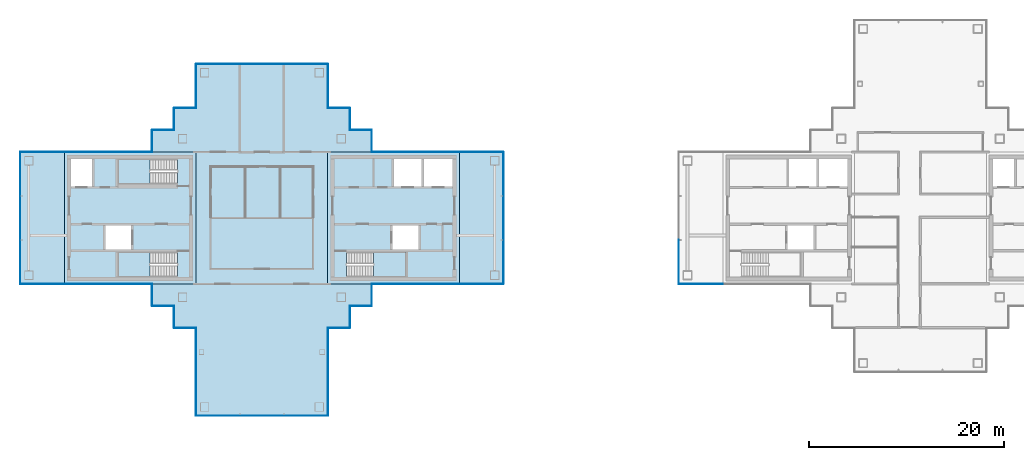
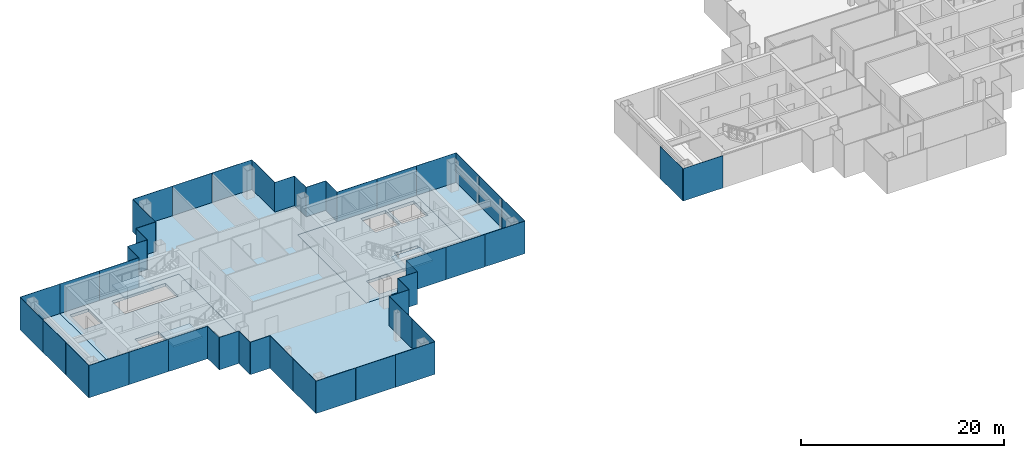
# One storey, part 7 of 15: 48 plates, 8 slabs, 25 elements without a shape of their own.
"""IFC4 building model written with IfcOpenShell, lengths in metres."""

from ifc_helpers import new_model, si_unit, direction, frame, origin, origin_2d, place, context, subcontext, project, spatial, polyline, rectangle, outline, extrude, material, layer, layer_set, type_object, element, aggregate, save


model = new_model("IFC4")

# Units and contexts
model_context = context("Model", 3, precision=1e-05, world=origin(), true_north=direction((0.0, 1.0)))
body_context = subcontext(model_context, "Body", "Model", "MODEL_VIEW")
ifc_project = project(units=[si_unit("LENGTHUNIT", "METRE"), si_unit("AREAUNIT", "SQUARE_METRE"), si_unit("VOLUMEUNIT", "CUBIC_METRE"), si_unit("PLANEANGLEUNIT", "RADIAN"), si_unit("MASSUNIT", "GRAM", prefix="KILO")], contexts=[model_context])

# Site, building, storey
site_placement = place(None, origin())
site = spatial("IfcSite", under=ifc_project, at=site_placement, CompositionType="ELEMENT")
building_placement = place(site_placement, origin())
building = spatial("IfcBuilding", under=site, at=building_placement, Name="Shamsa Quay Exchange Towers", CompositionType="ELEMENT")
storey_placement = place(building_placement, frame((0.0, 0.0, 269.39990234375)))
storey = spatial("IfcBuildingStorey", under=building, at=storey_placement, Name="L65", CompositionType="ELEMENT", Elevation=269.39990234375)

# Slabs
ifc_material_1 = material(Name="Concrete C50/60", Category="concrete")
ifc_layer_1 = layer(ifc_material_1, 0.35009765625)
ifc_layer_set_1 = layer_set([ifc_layer_1], Name="CORE FLOOR 350 C50/60")
slab_type_1 = type_object("IfcSlabType", Name="CORE FLOOR 350 C50/60", PredefinedType="FLOOR", material=ifc_layer_set_1)
slab_1_placement = place(storey_placement, frame((0.0, 0.0, -0.349853515625)))
element("IfcSlab", 1, at=slab_1_placement, inside=storey, type_object=slab_type_1, Name="Core floor T1A", PredefinedType="FLOOR", context=body_context, shape_type="SweptSolid", body=[
    extrude(outline(polyline([(-27.0, -6.75), (-13.5, -6.75), (-13.5, 6.75), (-27.0, 6.75), (-27.0, -6.75)]), holes=[polyline([(-25.099365234375, -6.050048828125), (-25.099365234375, -3.5), (-19.0, -3.5), (-19.0, -6.050048828125), (-25.099365234375, -6.050048828125)]), polyline([(-20.199951171875, 3.25), (-20.199951171875, 6.050048828125), (-17.39990234375, 6.050048828125), (-17.39990234375, 3.25), (-20.199951171875, 3.25)]), polyline([(-17.14990234375, 3.25), (-17.14990234375, 6.050048828125), (-14.199951171875, 6.050048828125), (-14.199951171875, 3.25), (-17.14990234375, 3.25)]), polyline([(-20.35009765625, -3.25), (-20.35009765625, -0.75), (-17.699951171875, -0.75), (-17.699951171875, -3.25), (-20.35009765625, -3.25)])]), origin(), (0.0, 0.0, 1.0), 0.349853515625),
])
slab_2_placement = place(storey_placement, frame((0.0, 0.0, -0.349853515625)))
element("IfcSlab", 2, at=slab_2_placement, inside=storey, type_object=slab_type_1, Name="Core floor T1B", PredefinedType="FLOOR", context=body_context, shape_type="SweptSolid", body=[
    extrude(outline(polyline([(-40.5, -6.75), (-40.5, 6.75), (-54.0, 6.75), (-54.0, -6.75), (-40.5, -6.75)]), holes=[polyline([(-42.400634765625, -3.5), (-42.400634765625, -6.050048828125), (-48.5, -6.050048828125), (-48.5, -3.5), (-42.400634765625, -3.5)]), polyline([(-42.400634765625, 6.050048828125), (-42.400634765625, 3.5), (-48.5, 3.5), (-48.5, 6.050048828125), (-42.400634765625, 6.050048828125)]), polyline([(-51.14990234375, 3.25), (-53.300048828125, 3.25), (-53.300048828125, 6.050048828125), (-51.14990234375, 6.050048828125), (-51.14990234375, 3.25)]), polyline([(-47.14990234375, -3.25), (-49.800048828125, -3.25), (-49.800048828125, -0.75), (-47.14990234375, -0.75), (-47.14990234375, -3.25)])]), origin(), (0.0, 0.0, 1.0), 0.349853515625),
])

# Stair, slab
ifc_material_2 = material(Name="Concrete C40/50", Category="concrete")
stair_type = type_object("IfcStairType", Name="EXIT STAIR 22 RISERS 177 MM", PredefinedType="HALF_TURN_STAIR", material=ifc_material_2)
stair_1_placement = place(storey_placement, origin())
stair_1 = element("IfcStair", 3, at=stair_1_placement, inside=storey, type_object=stair_type, Name="L65 Exit stair ST1", PredefinedType="HALF_TURN_STAIR")
ifc_layer_2 = layer(ifc_material_2, 0.199951171875)
ifc_layer_set_2 = layer_set([ifc_layer_2], Name="CORE STAIR LANDING")
slab_type_2 = type_object("IfcSlabType", Name="CORE STAIR LANDING", PredefinedType="LANDING", material=ifc_layer_set_2)
slab_3_placement = place(storey_placement, frame((0.0, 0.0, 1.75)))
slab_3 = element("IfcSlab", 4, at=slab_3_placement, type_object=slab_type_2, Name="ST1 landing 1", PredefinedType="LANDING", context=body_context, shape_type="SweptSolid", body=[
    extrude(outline(polyline([(-22.300048828125, -6.050048828125), (-19.0, -6.050048828125), (-19.0, -3.5), (-22.300048828125, -3.5), (-22.300048828125, -6.050048828125)])), origin(), (0.0, 0.0, 1.0), 0.2001953125),
])
aggregate(stair_1, [slab_3])

stair_2_placement = place(storey_placement, origin())
stair_2 = element("IfcStair", 5, at=stair_2_placement, inside=storey, type_object=stair_type, Name="L65 Exit stair ST2", PredefinedType="HALF_TURN_STAIR")
slab_4_placement = place(storey_placement, frame((0.0, 0.0, 1.75)))
slab_4 = element("IfcSlab", 6, at=slab_4_placement, type_object=slab_type_2, Name="ST2 landing 1", PredefinedType="LANDING", context=body_context, shape_type="SweptSolid", body=[
    extrude(outline(polyline([(-45.199951171875, -3.5), (-48.5, -3.5), (-48.5, -6.050048828125), (-45.199951171875, -6.050048828125), (-45.199951171875, -3.5)])), origin(), (0.0, 0.0, 1.0), 0.2001953125),
])
aggregate(stair_2, [slab_4])

stair_3_placement = place(storey_placement, origin())
stair_3 = element("IfcStair", 7, at=stair_3_placement, inside=storey, type_object=stair_type, Name="L65 Exit stair ST3", PredefinedType="HALF_TURN_STAIR")
slab_5_placement = place(storey_placement, frame((0.0, 0.0, 1.75)))
slab_5 = element("IfcSlab", 8, at=slab_5_placement, type_object=slab_type_2, Name="ST3 landing 1", PredefinedType="LANDING", context=body_context, shape_type="SweptSolid", body=[
    extrude(outline(polyline([(-45.199951171875, 6.050048828125), (-48.5, 6.050048828125), (-48.5, 3.5), (-45.199951171875, 3.5), (-45.199951171875, 6.050048828125)])), origin(), (0.0, 0.0, 1.0), 0.2001953125),
])
aggregate(stair_3, [slab_5])

# Curtain wall, plates
ifc_material_3 = material(Name="Aluminium EN AW-6063 T6, black anodised", Category="aluminium")
ifc_layer_3 = layer(ifc_material_3, 0.280029296875)
ifc_layer_set_3 = layer_set([ifc_layer_3], Name="CW-1 UNITISED VISION GLASS")
curtain_wall_type_1 = type_object("IfcCurtainWallType", Name="CW-1 UNITISED VISION GLASS", PredefinedType="NOTDEFINED", material=ifc_layer_set_3)
curtain_wall_1_placement = place(storey_placement, origin())
curtain_wall_1 = element("IfcCurtainWall", 9, at=curtain_wall_1_placement, inside=storey, type_object=curtain_wall_type_1, Name="CW1 T1-FLK-V-W L65", PredefinedType="NOTDEFINED")
ifc_material_4 = material(Name="Glass, laminated, dark tinted", Category="glass")
ifc_layer_4 = layer(ifc_material_4, 0.0400390625)
ifc_layer_set_4 = layer_set([ifc_layer_4], Name="CW-1 VISION GLASS 40")
plate_type_1 = type_object("IfcPlateType", Name="CW-1 VISION GLASS 40", PredefinedType="CURTAIN_PANEL", material=ifc_layer_set_4)
plate_1_placement = place(storey_placement, frame((-40.52001953125, -13.52587890625, -0.349853515625), z_axis=(0.0, 0.0, 1.0), x_axis=(0.0, -1.0, 0.0)))
plate_1 = element("IfcPlate", 10, at=plate_1_placement, type_object=plate_type_1, Name="CW1 glass panel", PredefinedType="CURTAIN_PANEL", context=body_context, shape_type="SweptSolid", body=[
    extrude(rectangle(XDim=4.47607421875, YDim=0.0400390625, at=origin_2d()), origin(), (0.0, 0.0, 1.0), 3.89990234375),
])
plate_2_placement = place(storey_placement, frame((-40.52001953125, -18.011962890625, -0.349853515625), z_axis=(0.0, 0.0, 1.0), x_axis=(0.0, -1.0, 0.0)))
plate_2 = element("IfcPlate", 11, at=plate_2_placement, type_object=plate_type_1, Name="CW1 glass panel", PredefinedType="CURTAIN_PANEL", context=body_context, shape_type="SweptSolid", body=[
    extrude(rectangle(XDim=4.47607421875, YDim=0.0400390625, at=origin_2d()), origin(), (0.0, 0.0, 1.0), 3.89990234375),
])
aggregate(curtain_wall_1, [plate_1, plate_2])

curtain_wall_2_placement = place(storey_placement, origin())
curtain_wall_2 = element("IfcCurtainWall", 12, at=curtain_wall_2_placement, inside=storey, type_object=curtain_wall_type_1, Name="CW1 T1-END-V- L65", PredefinedType="NOTDEFINED")
plate_3_placement = place(storey_placement, frame((-38.25244140625, -20.27001953125, -0.349853515625)))
plate_3 = element("IfcPlate", 13, at=plate_3_placement, type_object=plate_type_1, Name="CW1 glass panel", PredefinedType="CURTAIN_PANEL", context=body_context, shape_type="SweptSolid", body=[
    extrude(rectangle(XDim=4.4951171875, YDim=0.0400390625, at=origin_2d()), origin(), (0.0, 0.0, 1.0), 3.89990234375),
])
plate_4_placement = place(storey_placement, frame((-33.75, -20.27001953125, -0.349853515625)))
plate_4 = element("IfcPlate", 14, at=plate_4_placement, type_object=plate_type_1, Name="CW1 glass panel", PredefinedType="CURTAIN_PANEL", context=body_context, shape_type="SweptSolid", body=[
    extrude(rectangle(XDim=4.489990234375, YDim=0.0400390625, at=origin_2d()), origin(), (0.0, 0.0, 1.0), 3.89990234375),
])
plate_5_placement = place(storey_placement, frame((-29.24755859375, -20.27001953125, -0.349853515625)))
plate_5 = element("IfcPlate", 15, at=plate_5_placement, type_object=plate_type_1, Name="CW1 glass panel", PredefinedType="CURTAIN_PANEL", context=body_context, shape_type="SweptSolid", body=[
    extrude(rectangle(XDim=4.4951171875, YDim=0.0400390625, at=origin_2d()), origin(), (0.0, 0.0, 1.0), 3.89990234375),
])
aggregate(curtain_wall_2, [plate_3, plate_4, plate_5])

curtain_wall_3_placement = place(storey_placement, origin())
curtain_wall_3 = element("IfcCurtainWall", 16, at=curtain_wall_3_placement, inside=storey, type_object=curtain_wall_type_1, Name="CW1 T1-FLK-V-E L65", PredefinedType="NOTDEFINED")
plate_6_placement = place(storey_placement, frame((-26.97998046875, -18.00244140625, -0.349853515625), z_axis=(0.0, 0.0, 1.0), x_axis=(0.0, 1.0, 0.0)))
plate_6 = element("IfcPlate", 17, at=plate_6_placement, type_object=plate_type_1, Name="CW1 glass panel", PredefinedType="CURTAIN_PANEL", context=body_context, shape_type="SweptSolid", body=[
    extrude(rectangle(XDim=4.4951171875, YDim=0.0400390625, at=origin_2d()), origin(), (0.0, 0.0, 1.0), 3.89990234375),
])
plate_7_placement = place(storey_placement, frame((-26.97998046875, -13.49755859375, -0.349853515625), z_axis=(0.0, 0.0, 1.0), x_axis=(0.0, 1.0, 0.0)))
plate_7 = element("IfcPlate", 18, at=plate_7_placement, type_object=plate_type_1, Name="CW1 glass panel", PredefinedType="CURTAIN_PANEL", context=body_context, shape_type="SweptSolid", body=[
    extrude(rectangle(XDim=4.4951171875, YDim=0.0400390625, at=origin_2d()), origin(), (0.0, 0.0, 1.0), 3.89990234375),
])
aggregate(curtain_wall_3, [plate_6, plate_7])

# Curtain wall, plate
curtain_wall_4_placement = place(storey_placement, origin())
curtain_wall_4 = element("IfcCurtainWall", 19, at=curtain_wall_4_placement, inside=storey, type_object=curtain_wall_type_1, Name="CW1 T1-FLK-U+S L65", PredefinedType="NOTDEFINED")
plate_8_placement = place(storey_placement, frame((-11.25, -6.77001953125, -0.349853515625)))
plate_8 = element("IfcPlate", 20, at=plate_8_placement, type_object=plate_type_1, Name="CW1 glass panel", PredefinedType="CURTAIN_PANEL", context=body_context, shape_type="SweptSolid", body=[
    extrude(rectangle(XDim=4.5, YDim=0.0400390625, at=origin_2d()), origin(), (0.0, 0.0, 1.0), 3.89990234375),
])
aggregate(curtain_wall_4, [plate_8])

# Curtain wall, plates
curtain_wall_5_placement = place(storey_placement, origin())
curtain_wall_5 = element("IfcCurtainWall", 21, at=curtain_wall_5_placement, inside=storey, type_object=curtain_wall_type_1, Name="CW1 T1-END-U+ L65", PredefinedType="NOTDEFINED")
plate_9_placement = place(storey_placement, frame((-8.97998046875, -4.50244140625, -0.349853515625), z_axis=(0.0, 0.0, 1.0), x_axis=(0.0, 1.0, 0.0)))
plate_9 = element("IfcPlate", 22, at=plate_9_placement, type_object=plate_type_1, Name="CW1 glass panel", PredefinedType="CURTAIN_PANEL", context=body_context, shape_type="SweptSolid", body=[
    extrude(rectangle(XDim=4.4951171875, YDim=0.0400390625, at=origin_2d()), origin(), (0.0, 0.0, 1.0), 3.89990234375),
])
plate_10_placement = place(storey_placement, frame((-8.97998046875, 0.0, -0.349853515625), z_axis=(0.0, 0.0, 1.0), x_axis=(0.0, 1.0, 0.0)))
plate_10 = element("IfcPlate", 23, at=plate_10_placement, type_object=plate_type_1, Name="CW1 glass panel", PredefinedType="CURTAIN_PANEL", context=body_context, shape_type="SweptSolid", body=[
    extrude(rectangle(XDim=4.489990234375, YDim=0.0400390625, at=origin_2d()), origin(), (0.0, 0.0, 1.0), 3.89990234375),
])
plate_11_placement = place(storey_placement, frame((-8.97998046875, 4.50244140625, -0.349853515625), z_axis=(0.0, 0.0, 1.0), x_axis=(0.0, 1.0, 0.0)))
plate_11 = element("IfcPlate", 24, at=plate_11_placement, type_object=plate_type_1, Name="CW1 glass panel", PredefinedType="CURTAIN_PANEL", context=body_context, shape_type="SweptSolid", body=[
    extrude(rectangle(XDim=4.4951171875, YDim=0.0400390625, at=origin_2d()), origin(), (0.0, 0.0, 1.0), 3.89990234375),
])
aggregate(curtain_wall_5, [plate_9, plate_10, plate_11])

# Curtain wall, plate
curtain_wall_6_placement = place(storey_placement, origin())
curtain_wall_6 = element("IfcCurtainWall", 25, at=curtain_wall_6_placement, inside=storey, type_object=curtain_wall_type_1, Name="CW1 T1-FLK-U+N L65", PredefinedType="NOTDEFINED")
plate_12_placement = place(storey_placement, frame((-11.25, 6.77001953125, -0.349853515625), z_axis=(0.0, 0.0, 1.0), x_axis=(-1.0, 0.0, 0.0)))
plate_12 = element("IfcPlate", 26, at=plate_12_placement, type_object=plate_type_1, Name="CW1 glass panel", PredefinedType="CURTAIN_PANEL", context=body_context, shape_type="SweptSolid", body=[
    extrude(rectangle(XDim=4.5, YDim=0.0400390625, at=origin_2d()), origin(), (0.0, 0.0, 1.0), 3.89990234375),
])
aggregate(curtain_wall_6, [plate_12])

curtain_wall_7_placement = place(storey_placement, origin())
curtain_wall_7 = element("IfcCurtainWall", 27, at=curtain_wall_7_placement, inside=storey, type_object=curtain_wall_type_1, Name="CW1 T1-FLK-V+E L65", PredefinedType="NOTDEFINED")
plate_13_placement = place(storey_placement, frame((-26.97998046875, 13.51904296875, -0.349853515625), z_axis=(0.0, 0.0, 1.0), x_axis=(0.0, 1.0, 0.0)))
plate_13 = element("IfcPlate", 28, at=plate_13_placement, type_object=plate_type_1, Name="CW1 glass panel", PredefinedType="CURTAIN_PANEL", context=body_context, shape_type="SweptSolid", body=[
    extrude(rectangle(XDim=4.4619140625, YDim=0.0400390625, at=origin_2d()), origin(), (0.0, 0.0, 1.0), 3.89990234375),
])
aggregate(curtain_wall_7, [plate_13])

# Curtain wall, plates
curtain_wall_8_placement = place(storey_placement, origin())
curtain_wall_8 = element("IfcCurtainWall", 29, at=curtain_wall_8_placement, inside=storey, type_object=curtain_wall_type_1, Name="CW1 T1-END-V+ L65", PredefinedType="NOTDEFINED")
plate_14_placement = place(storey_placement, frame((-29.24755859375, 15.77001953125, -0.349853515625), z_axis=(0.0, 0.0, 1.0), x_axis=(-1.0, 0.0, 0.0)))
plate_14 = element("IfcPlate", 30, at=plate_14_placement, type_object=plate_type_1, Name="CW1 glass panel", PredefinedType="CURTAIN_PANEL", context=body_context, shape_type="SweptSolid", body=[
    extrude(rectangle(XDim=4.4951171875, YDim=0.0400390625, at=origin_2d()), origin(), (0.0, 0.0, 1.0), 3.89990234375),
])
plate_15_placement = place(storey_placement, frame((-33.75, 15.77001953125, -0.349853515625), z_axis=(0.0, 0.0, 1.0), x_axis=(-1.0, 0.0, 0.0)))
plate_15 = element("IfcPlate", 31, at=plate_15_placement, type_object=plate_type_1, Name="CW1 glass panel", PredefinedType="CURTAIN_PANEL", context=body_context, shape_type="SweptSolid", body=[
    extrude(rectangle(XDim=4.489990234375, YDim=0.0400390625, at=origin_2d()), origin(), (0.0, 0.0, 1.0), 3.89990234375),
])
plate_16_placement = place(storey_placement, frame((-38.25244140625, 15.77001953125, -0.349853515625), z_axis=(0.0, 0.0, 1.0), x_axis=(-1.0, 0.0, 0.0)))
plate_16 = element("IfcPlate", 32, at=plate_16_placement, type_object=plate_type_1, Name="CW1 glass panel", PredefinedType="CURTAIN_PANEL", context=body_context, shape_type="SweptSolid", body=[
    extrude(rectangle(XDim=4.4951171875, YDim=0.0400390625, at=origin_2d()), origin(), (0.0, 0.0, 1.0), 3.89990234375),
])
aggregate(curtain_wall_8, [plate_14, plate_15, plate_16])

# Curtain wall, plate
curtain_wall_9_placement = place(storey_placement, origin())
curtain_wall_9 = element("IfcCurtainWall", 33, at=curtain_wall_9_placement, inside=storey, type_object=curtain_wall_type_1, Name="CW1 T1-FLK-V+W L65", PredefinedType="NOTDEFINED")
plate_17_placement = place(storey_placement, frame((-40.52001953125, 13.5, -0.349853515625), z_axis=(0.0, 0.0, 1.0), x_axis=(0.0, -1.0, 0.0)))
plate_17 = element("IfcPlate", 34, at=plate_17_placement, type_object=plate_type_1, Name="CW1 glass panel", PredefinedType="CURTAIN_PANEL", context=body_context, shape_type="SweptSolid", body=[
    extrude(rectangle(XDim=4.5, YDim=0.0400390625, at=origin_2d()), origin(), (0.0, 0.0, 1.0), 3.89990234375),
])
aggregate(curtain_wall_9, [plate_17])

curtain_wall_10_placement = place(storey_placement, origin())
curtain_wall_10 = element("IfcCurtainWall", 35, at=curtain_wall_10_placement, inside=storey, type_object=curtain_wall_type_1, Name="CW1 T1-FLK-U-N L65", PredefinedType="NOTDEFINED")
plate_18_placement = place(storey_placement, frame((-56.25, 6.77001953125, -0.349853515625), z_axis=(0.0, 0.0, 1.0), x_axis=(-1.0, 0.0, 0.0)))
plate_18 = element("IfcPlate", 36, at=plate_18_placement, type_object=plate_type_1, Name="CW1 glass panel", PredefinedType="CURTAIN_PANEL", context=body_context, shape_type="SweptSolid", body=[
    extrude(rectangle(XDim=4.5, YDim=0.0400390625, at=origin_2d()), origin(), (0.0, 0.0, 1.0), 3.89990234375),
])
aggregate(curtain_wall_10, [plate_18])

# Curtain wall, plates
curtain_wall_11_placement = place(storey_placement, origin())
curtain_wall_11 = element("IfcCurtainWall", 37, at=curtain_wall_11_placement, inside=storey, type_object=curtain_wall_type_1, Name="CW1 T1-END-U- L65", PredefinedType="NOTDEFINED")
plate_19_placement = place(storey_placement, frame((-58.52001953125, 4.50244140625, -0.349853515625), z_axis=(0.0, 0.0, 1.0), x_axis=(0.0, -1.0, 0.0)))
plate_19 = element("IfcPlate", 38, at=plate_19_placement, type_object=plate_type_1, Name="CW1 glass panel", PredefinedType="CURTAIN_PANEL", context=body_context, shape_type="SweptSolid", body=[
    extrude(rectangle(XDim=4.4951171875, YDim=0.0400390625, at=origin_2d()), origin(), (0.0, 0.0, 1.0), 3.89990234375),
])
plate_20_placement = place(storey_placement, frame((-58.52001953125, 0.0, -0.349853515625), z_axis=(0.0, 0.0, 1.0), x_axis=(0.0, -1.0, 0.0)))
plate_20 = element("IfcPlate", 39, at=plate_20_placement, type_object=plate_type_1, Name="CW1 glass panel", PredefinedType="CURTAIN_PANEL", context=body_context, shape_type="SweptSolid", body=[
    extrude(rectangle(XDim=4.489990234375, YDim=0.0400390625, at=origin_2d()), origin(), (0.0, 0.0, 1.0), 3.89990234375),
])
plate_21_placement = place(storey_placement, frame((-58.52001953125, -4.50244140625, -0.349853515625), z_axis=(0.0, 0.0, 1.0), x_axis=(0.0, -1.0, 0.0)))
plate_21 = element("IfcPlate", 40, at=plate_21_placement, type_object=plate_type_1, Name="CW1 glass panel", PredefinedType="CURTAIN_PANEL", context=body_context, shape_type="SweptSolid", body=[
    extrude(rectangle(XDim=4.4951171875, YDim=0.0400390625, at=origin_2d()), origin(), (0.0, 0.0, 1.0), 3.89990234375),
])
aggregate(curtain_wall_11, [plate_19, plate_20, plate_21])

# Curtain wall, plate
curtain_wall_12_placement = place(storey_placement, origin())
curtain_wall_12 = element("IfcCurtainWall", 41, at=curtain_wall_12_placement, inside=storey, type_object=curtain_wall_type_1, Name="CW1 T1-FLK-U-S L65", PredefinedType="NOTDEFINED")
plate_22_placement = place(storey_placement, frame((-56.25, -6.77001953125, -0.349853515625)))
plate_22 = element("IfcPlate", 42, at=plate_22_placement, type_object=plate_type_1, Name="CW1 glass panel", PredefinedType="CURTAIN_PANEL", context=body_context, shape_type="SweptSolid", body=[
    extrude(rectangle(XDim=4.5, YDim=0.0400390625, at=origin_2d()), origin(), (0.0, 0.0, 1.0), 3.89990234375),
])
aggregate(curtain_wall_12, [plate_22])

curtain_wall_13_placement = place(storey_placement, origin())
curtain_wall_13 = element("IfcCurtainWall", 43, at=curtain_wall_13_placement, inside=storey, type_object=curtain_wall_type_1, Name="CW1 T2-END-V+ L65", PredefinedType="NOTDEFINED")
plate_23_placement = place(storey_placement, frame((8.97998046875, -4.50244140625, -0.349853515625), z_axis=(0.0, 0.0, 1.0), x_axis=(0.0, -1.0, 0.0)))
plate_23 = element("IfcPlate", 44, at=plate_23_placement, type_object=plate_type_1, Name="CW1 glass panel", PredefinedType="CURTAIN_PANEL", context=body_context, shape_type="SweptSolid", body=[
    extrude(rectangle(XDim=4.4951171875, YDim=0.0400390625, at=origin_2d()), origin(), (0.0, 0.0, 1.0), 3.89990234375),
])
aggregate(curtain_wall_13, [plate_23])

curtain_wall_14_placement = place(storey_placement, origin())
curtain_wall_14 = element("IfcCurtainWall", 45, at=curtain_wall_14_placement, inside=storey, type_object=curtain_wall_type_1, Name="CW1 T2-FLK-V+W L65", PredefinedType="NOTDEFINED")
plate_24_placement = place(storey_placement, frame((11.25, -6.77001953125, -0.349853515625)))
plate_24 = element("IfcPlate", 46, at=plate_24_placement, type_object=plate_type_1, Name="CW1 glass panel", PredefinedType="CURTAIN_PANEL", context=body_context, shape_type="SweptSolid", body=[
    extrude(rectangle(XDim=4.5, YDim=0.0400390625, at=origin_2d()), origin(), (0.0, 0.0, 1.0), 3.89990234375),
])
aggregate(curtain_wall_14, [plate_24])

# Curtain wall, plates
ifc_layer_5 = layer(ifc_material_3, 0.303955078125)
ifc_layer_set_5 = layer_set([ifc_layer_5], Name="CW-2 UNITISED OPAQUE SPANDREL GLASS")
curtain_wall_type_2 = type_object("IfcCurtainWallType", Name="CW-2 UNITISED OPAQUE SPANDREL GLASS", PredefinedType="NOTDEFINED", material=ifc_layer_set_5)
curtain_wall_15_placement = place(storey_placement, origin())
curtain_wall_15 = element("IfcCurtainWall", 47, at=curtain_wall_15_placement, inside=storey, type_object=curtain_wall_type_2, Name="CW2 T1-FLK-U+S L65", PredefinedType="NOTDEFINED")
ifc_material_5 = material(Name="Glass, laminated, black enamelled opaque", Category="glass")
ifc_layer_6 = layer(ifc_material_5, 0.0439453125)
ifc_layer_set_6 = layer_set([ifc_layer_6], Name="CW-2 SPANDREL GLASS 44")
plate_type_2 = type_object("IfcPlateType", Name="CW-2 SPANDREL GLASS 44", PredefinedType="CURTAIN_PANEL", material=ifc_layer_set_6)
plate_25_placement = place(storey_placement, frame((-20.22412109375, -6.77197265625, -0.349853515625)))
plate_25 = element("IfcPlate", 48, at=plate_25_placement, type_object=plate_type_2, Name="CW2 glass panel", PredefinedType="CURTAIN_PANEL", context=body_context, shape_type="SweptSolid", body=[
    extrude(rectangle(XDim=4.47607421875, YDim=0.0439453125, at=origin_2d()), origin(), (0.0, 0.0, 1.0), 3.89990234375),
])
plate_26_placement = place(storey_placement, frame((-15.738037109375, -6.77197265625, -0.349853515625)))
plate_26 = element("IfcPlate", 49, at=plate_26_placement, type_object=plate_type_2, Name="CW2 glass panel", PredefinedType="CURTAIN_PANEL", context=body_context, shape_type="SweptSolid", body=[
    extrude(rectangle(XDim=4.47607421875, YDim=0.0439453125, at=origin_2d()), origin(), (0.0, 0.0, 1.0), 3.89990234375),
])
aggregate(curtain_wall_15, [plate_25, plate_26])

curtain_wall_16_placement = place(storey_placement, origin())
curtain_wall_16 = element("IfcCurtainWall", 50, at=curtain_wall_16_placement, inside=storey, type_object=curtain_wall_type_2, Name="CW2 T1-FLK-U+N L65", PredefinedType="NOTDEFINED")
plate_27_placement = place(storey_placement, frame((-15.74755859375, 6.77197265625, -0.349853515625), z_axis=(0.0, 0.0, 1.0), x_axis=(-1.0, 0.0, 0.0)))
plate_27 = element("IfcPlate", 51, at=plate_27_placement, type_object=plate_type_2, Name="CW2 glass panel", PredefinedType="CURTAIN_PANEL", context=body_context, shape_type="SweptSolid", body=[
    extrude(rectangle(XDim=4.4951171875, YDim=0.0439453125, at=origin_2d()), origin(), (0.0, 0.0, 1.0), 3.89990234375),
])
plate_28_placement = place(storey_placement, frame((-20.25244140625, 6.77197265625, -0.349853515625), z_axis=(0.0, 0.0, 1.0), x_axis=(-1.0, 0.0, 0.0)))
plate_28 = element("IfcPlate", 52, at=plate_28_placement, type_object=plate_type_2, Name="CW2 glass panel", PredefinedType="CURTAIN_PANEL", context=body_context, shape_type="SweptSolid", body=[
    extrude(rectangle(XDim=4.4951171875, YDim=0.0439453125, at=origin_2d()), origin(), (0.0, 0.0, 1.0), 3.89990234375),
])
aggregate(curtain_wall_16, [plate_27, plate_28])

curtain_wall_17_placement = place(storey_placement, origin())
curtain_wall_17 = element("IfcCurtainWall", 53, at=curtain_wall_17_placement, inside=storey, type_object=curtain_wall_type_2, Name="CW2 T1-FLK-U-N L65", PredefinedType="NOTDEFINED")
plate_29_placement = place(storey_placement, frame((-47.27587890625, 6.77197265625, -0.349853515625), z_axis=(0.0, 0.0, 1.0), x_axis=(-1.0, 0.0, 0.0)))
plate_29 = element("IfcPlate", 54, at=plate_29_placement, type_object=plate_type_2, Name="CW2 glass panel", PredefinedType="CURTAIN_PANEL", context=body_context, shape_type="SweptSolid", body=[
    extrude(rectangle(XDim=4.47607421875, YDim=0.0439453125, at=origin_2d()), origin(), (0.0, 0.0, 1.0), 3.89990234375),
])
plate_30_placement = place(storey_placement, frame((-51.761962890625, 6.77197265625, -0.349853515625), z_axis=(0.0, 0.0, 1.0), x_axis=(-1.0, 0.0, 0.0)))
plate_30 = element("IfcPlate", 55, at=plate_30_placement, type_object=plate_type_2, Name="CW2 glass panel", PredefinedType="CURTAIN_PANEL", context=body_context, shape_type="SweptSolid", body=[
    extrude(rectangle(XDim=4.47607421875, YDim=0.0439453125, at=origin_2d()), origin(), (0.0, 0.0, 1.0), 3.89990234375),
])
aggregate(curtain_wall_17, [plate_29, plate_30])

curtain_wall_18_placement = place(storey_placement, origin())
curtain_wall_18 = element("IfcCurtainWall", 56, at=curtain_wall_18_placement, inside=storey, type_object=curtain_wall_type_2, Name="CW2 T1-FLK-U-S L65", PredefinedType="NOTDEFINED")
plate_31_placement = place(storey_placement, frame((-51.75244140625, -6.77197265625, -0.349853515625)))
plate_31 = element("IfcPlate", 57, at=plate_31_placement, type_object=plate_type_2, Name="CW2 glass panel", PredefinedType="CURTAIN_PANEL", context=body_context, shape_type="SweptSolid", body=[
    extrude(rectangle(XDim=4.4951171875, YDim=0.0439453125, at=origin_2d()), origin(), (0.0, 0.0, 1.0), 3.89990234375),
])
plate_32_placement = place(storey_placement, frame((-47.24755859375, -6.77197265625, -0.349853515625)))
plate_32 = element("IfcPlate", 58, at=plate_32_placement, type_object=plate_type_2, Name="CW2 glass panel", PredefinedType="CURTAIN_PANEL", context=body_context, shape_type="SweptSolid", body=[
    extrude(rectangle(XDim=4.4951171875, YDim=0.0439453125, at=origin_2d()), origin(), (0.0, 0.0, 1.0), 3.89990234375),
])
aggregate(curtain_wall_18, [plate_31, plate_32])

ifc_layer_7 = layer(ifc_material_3, 0.256103515625)
ifc_layer_set_7 = layer_set([ifc_layer_7], Name="CW-4 POCKET SERRATED GLAZING")
curtain_wall_type_3 = type_object("IfcCurtainWallType", Name="CW-4 POCKET SERRATED GLAZING", PredefinedType="NOTDEFINED", material=ifc_layer_set_7)
curtain_wall_19_placement = place(storey_placement, origin())
curtain_wall_19 = element("IfcCurtainWall", 59, at=curtain_wall_19_placement, inside=storey, type_object=curtain_wall_type_3, Name="CW4 PKWS L65", PredefinedType="NOTDEFINED")
ifc_layer_8 = layer(ifc_material_4, 0.035888671875)
ifc_layer_set_8 = layer_set([ifc_layer_8], Name="CW-4 POCKET GLASS 36")
plate_type_3 = type_object("IfcPlateType", Name="CW-4 POCKET GLASS 36", PredefinedType="CURTAIN_PANEL", material=ifc_layer_set_8)
plate_33_placement = place(storey_placement, frame((-42.76806640625, -10.14404296875, -0.349853515625), z_axis=(0.0, 0.0, 1.0), x_axis=(0.0, -1.0, 0.0)))
plate_33 = element("IfcPlate", 60, at=plate_33_placement, type_object=plate_type_3, Name="CW4 glass panel", PredefinedType="CURTAIN_PANEL", context=body_context, shape_type="SweptSolid", body=[
    extrude(rectangle(XDim=2.2119140625, YDim=0.035888671875, at=origin_2d()), origin(), (0.0, 0.0, 1.0), 3.89990234375),
])
plate_34_placement = place(storey_placement, frame((-41.625, -11.26806640625, -0.349853515625)))
plate_34 = element("IfcPlate", 61, at=plate_34_placement, type_object=plate_type_3, Name="CW4 glass panel", PredefinedType="CURTAIN_PANEL", context=body_context, shape_type="SweptSolid", body=[
    extrude(rectangle(XDim=2.25, YDim=0.035888671875, at=origin_2d()), origin(), (0.0, 0.0, 1.0), 3.89990234375),
])
plate_35_placement = place(storey_placement, frame((-45.01806640625, -7.89794921875, -0.349853515625), z_axis=(0.0, 0.0, 1.0), x_axis=(0.0, -1.0, 0.0)))
plate_35 = element("IfcPlate", 62, at=plate_35_placement, type_object=plate_type_3, Name="CW4 glass panel", PredefinedType="CURTAIN_PANEL", context=body_context, shape_type="SweptSolid", body=[
    extrude(rectangle(XDim=2.2041015625, YDim=0.035888671875, at=origin_2d()), origin(), (0.0, 0.0, 1.0), 3.89990234375),
])
plate_36_placement = place(storey_placement, frame((-43.875, -9.01806640625, -0.349853515625)))
plate_36 = element("IfcPlate", 63, at=plate_36_placement, type_object=plate_type_3, Name="CW4 glass panel", PredefinedType="CURTAIN_PANEL", context=body_context, shape_type="SweptSolid", body=[
    extrude(rectangle(XDim=2.25, YDim=0.035888671875, at=origin_2d()), origin(), (0.0, 0.0, 1.0), 3.89990234375),
])
aggregate(curtain_wall_19, [plate_33, plate_34, plate_35, plate_36])

curtain_wall_20_placement = place(storey_placement, origin())
curtain_wall_20 = element("IfcCurtainWall", 64, at=curtain_wall_20_placement, inside=storey, type_object=curtain_wall_type_3, Name="CW4 PKES L65", PredefinedType="NOTDEFINED")
plate_37_placement = place(storey_placement, frame((-25.85400390625, -11.26806640625, -0.349853515625)))
plate_37 = element("IfcPlate", 65, at=plate_37_placement, type_object=plate_type_3, Name="CW4 glass panel", PredefinedType="CURTAIN_PANEL", context=body_context, shape_type="SweptSolid", body=[
    extrude(rectangle(XDim=2.2080078125, YDim=0.035888671875, at=origin_2d()), origin(), (0.0, 0.0, 1.0), 3.89990234375),
])
plate_38_placement = place(storey_placement, frame((-24.73193359375, -10.125, -0.349853515625), z_axis=(0.0, 0.0, 1.0), x_axis=(0.0, 1.0, 0.0)))
plate_38 = element("IfcPlate", 66, at=plate_38_placement, type_object=plate_type_3, Name="CW4 glass panel", PredefinedType="CURTAIN_PANEL", context=body_context, shape_type="SweptSolid", body=[
    extrude(rectangle(XDim=2.25, YDim=0.035888671875, at=origin_2d()), origin(), (0.0, 0.0, 1.0), 3.89990234375),
])
plate_39_placement = place(storey_placement, frame((-23.60595703125, -9.01806640625, -0.349853515625)))
plate_39 = element("IfcPlate", 67, at=plate_39_placement, type_object=plate_type_3, Name="CW4 glass panel", PredefinedType="CURTAIN_PANEL", context=body_context, shape_type="SweptSolid", body=[
    extrude(rectangle(XDim=2.2119140625, YDim=0.035888671875, at=origin_2d()), origin(), (0.0, 0.0, 1.0), 3.89990234375),
])
plate_40_placement = place(storey_placement, frame((-22.48193359375, -7.875, -0.349853515625), z_axis=(0.0, 0.0, 1.0), x_axis=(0.0, 1.0, 0.0)))
plate_40 = element("IfcPlate", 68, at=plate_40_placement, type_object=plate_type_3, Name="CW4 glass panel", PredefinedType="CURTAIN_PANEL", context=body_context, shape_type="SweptSolid", body=[
    extrude(rectangle(XDim=2.25, YDim=0.035888671875, at=origin_2d()), origin(), (0.0, 0.0, 1.0), 3.89990234375),
])
aggregate(curtain_wall_20, [plate_37, plate_38, plate_39, plate_40])

curtain_wall_21_placement = place(storey_placement, origin())
curtain_wall_21 = element("IfcCurtainWall", 69, at=curtain_wall_21_placement, inside=storey, type_object=curtain_wall_type_3, Name="CW4 PKEN L65", PredefinedType="NOTDEFINED")
plate_41_placement = place(storey_placement, frame((-22.48193359375, 7.89794921875, -0.349853515625), z_axis=(0.0, 0.0, 1.0), x_axis=(0.0, 1.0, 0.0)))
plate_41 = element("IfcPlate", 70, at=plate_41_placement, type_object=plate_type_3, Name="CW4 glass panel", PredefinedType="CURTAIN_PANEL", context=body_context, shape_type="SweptSolid", body=[
    extrude(rectangle(XDim=2.2041015625, YDim=0.035888671875, at=origin_2d()), origin(), (0.0, 0.0, 1.0), 3.89990234375),
])
plate_42_placement = place(storey_placement, frame((-23.625, 9.01806640625, -0.349853515625), z_axis=(0.0, 0.0, 1.0), x_axis=(-1.0, 0.0, 0.0)))
plate_42 = element("IfcPlate", 71, at=plate_42_placement, type_object=plate_type_3, Name="CW4 glass panel", PredefinedType="CURTAIN_PANEL", context=body_context, shape_type="SweptSolid", body=[
    extrude(rectangle(XDim=2.25, YDim=0.035888671875, at=origin_2d()), origin(), (0.0, 0.0, 1.0), 3.89990234375),
])
plate_43_placement = place(storey_placement, frame((-24.73193359375, 10.14404296875, -0.349853515625), z_axis=(0.0, 0.0, 1.0), x_axis=(0.0, 1.0, 0.0)))
plate_43 = element("IfcPlate", 72, at=plate_43_placement, type_object=plate_type_3, Name="CW4 glass panel", PredefinedType="CURTAIN_PANEL", context=body_context, shape_type="SweptSolid", body=[
    extrude(rectangle(XDim=2.2119140625, YDim=0.035888671875, at=origin_2d()), origin(), (0.0, 0.0, 1.0), 3.89990234375),
])
plate_44_placement = place(storey_placement, frame((-25.875, 11.26806640625, -0.349853515625), z_axis=(0.0, 0.0, 1.0), x_axis=(-1.0, 0.0, 0.0)))
plate_44 = element("IfcPlate", 73, at=plate_44_placement, type_object=plate_type_3, Name="CW4 glass panel", PredefinedType="CURTAIN_PANEL", context=body_context, shape_type="SweptSolid", body=[
    extrude(rectangle(XDim=2.25, YDim=0.035888671875, at=origin_2d()), origin(), (0.0, 0.0, 1.0), 3.89990234375),
])
aggregate(curtain_wall_21, [plate_41, plate_42, plate_43, plate_44])

curtain_wall_22_placement = place(storey_placement, origin())
curtain_wall_22 = element("IfcCurtainWall", 74, at=curtain_wall_22_placement, inside=storey, type_object=curtain_wall_type_3, Name="CW4 PKWN L65", PredefinedType="NOTDEFINED")
plate_45_placement = place(storey_placement, frame((-41.64599609375, 11.26806640625, -0.349853515625), z_axis=(0.0, 0.0, 1.0), x_axis=(-1.0, 0.0, 0.0)))
plate_45 = element("IfcPlate", 75, at=plate_45_placement, type_object=plate_type_3, Name="CW4 glass panel", PredefinedType="CURTAIN_PANEL", context=body_context, shape_type="SweptSolid", body=[
    extrude(rectangle(XDim=2.2080078125, YDim=0.035888671875, at=origin_2d()), origin(), (0.0, 0.0, 1.0), 3.89990234375),
])
plate_46_placement = place(storey_placement, frame((-42.76806640625, 10.125, -0.349853515625), z_axis=(0.0, 0.0, 1.0), x_axis=(0.0, -1.0, 0.0)))
plate_46 = element("IfcPlate", 76, at=plate_46_placement, type_object=plate_type_3, Name="CW4 glass panel", PredefinedType="CURTAIN_PANEL", context=body_context, shape_type="SweptSolid", body=[
    extrude(rectangle(XDim=2.25, YDim=0.035888671875, at=origin_2d()), origin(), (0.0, 0.0, 1.0), 3.89990234375),
])
plate_47_placement = place(storey_placement, frame((-43.89404296875, 9.01806640625, -0.349853515625), z_axis=(0.0, 0.0, 1.0), x_axis=(-1.0, 0.0, 0.0)))
plate_47 = element("IfcPlate", 77, at=plate_47_placement, type_object=plate_type_3, Name="CW4 glass panel", PredefinedType="CURTAIN_PANEL", context=body_context, shape_type="SweptSolid", body=[
    extrude(rectangle(XDim=2.2119140625, YDim=0.035888671875, at=origin_2d()), origin(), (0.0, 0.0, 1.0), 3.89990234375),
])
plate_48_placement = place(storey_placement, frame((-45.01806640625, 7.875, -0.349853515625), z_axis=(0.0, 0.0, 1.0), x_axis=(0.0, -1.0, 0.0)))
plate_48 = element("IfcPlate", 78, at=plate_48_placement, type_object=plate_type_3, Name="CW4 glass panel", PredefinedType="CURTAIN_PANEL", context=body_context, shape_type="SweptSolid", body=[
    extrude(rectangle(XDim=2.25, YDim=0.035888671875, at=origin_2d()), origin(), (0.0, 0.0, 1.0), 3.89990234375),
])
aggregate(curtain_wall_22, [plate_45, plate_46, plate_47, plate_48])

# Slabs
ifc_layer_9 = layer(ifc_material_2, 0.35009765625)
ifc_layer_set_9 = layer_set([ifc_layer_9], Name="Flat slab 350")
slab_type_3 = type_object("IfcSlabType", Name="Flat slab 350", PredefinedType="FLOOR", material=ifc_layer_set_9)
slab_6_placement = place(storey_placement, frame((0.0, 0.0, -0.349853515625)))
element("IfcSlab", 79, at=slab_6_placement, inside=storey, type_object=slab_type_3, Name="Flat slab T1 L65 1", PredefinedType="FLOOR", context=body_context, shape_type="SweptSolid", body=[
    extrude(outline(polyline([(-58.5, -6.75), (-54.0, -6.75), (-54.0, 6.75), (-58.5, 6.75), (-58.5, -6.75)])), origin(), (0.0, 0.0, 1.0), 0.349853515625),
])
slab_7_placement = place(storey_placement, frame((0.0, 0.0, -0.349853515625)))
element("IfcSlab", 80, at=slab_7_placement, inside=storey, type_object=slab_type_3, Name="Flat slab T1 L65 2", PredefinedType="FLOOR", context=body_context, shape_type="SweptSolid", body=[
    extrude(outline(polyline([(-22.5, -9.0), (-22.5, -6.75), (-27.0, -6.75), (-27.0, 6.75), (-22.5, 6.75), (-22.5, 9.0), (-24.75, 9.0), (-24.75, 11.25), (-27.0, 11.25), (-27.0, 15.75), (-40.5, 15.75), (-40.5, 11.25), (-42.75, 11.25), (-42.75, 9.0), (-45.0, 9.0), (-45.0, 6.75), (-40.5, 6.75), (-40.5, -6.75), (-45.0, -6.75), (-45.0, -9.0), (-42.75, -9.0), (-42.75, -11.25), (-40.5, -11.25), (-40.5, -20.25), (-27.0, -20.25), (-27.0, -11.25), (-24.75, -11.25), (-24.75, -9.0), (-22.5, -9.0)])), origin(), (0.0, 0.0, 1.0), 0.349853515625),
])
slab_8_placement = place(storey_placement, frame((0.0, 0.0, -0.349853515625)))
element("IfcSlab", 81, at=slab_8_placement, inside=storey, type_object=slab_type_3, Name="Flat slab T1 L65 3", PredefinedType="FLOOR", context=body_context, shape_type="SweptSolid", body=[
    extrude(outline(polyline([(-9.0, 6.75), (-13.5, 6.75), (-13.5, -6.75), (-9.0, -6.75), (-9.0, 6.75)])), origin(), (0.0, 0.0, 1.0), 0.349853515625),
])

save(model, "model.ifc")
